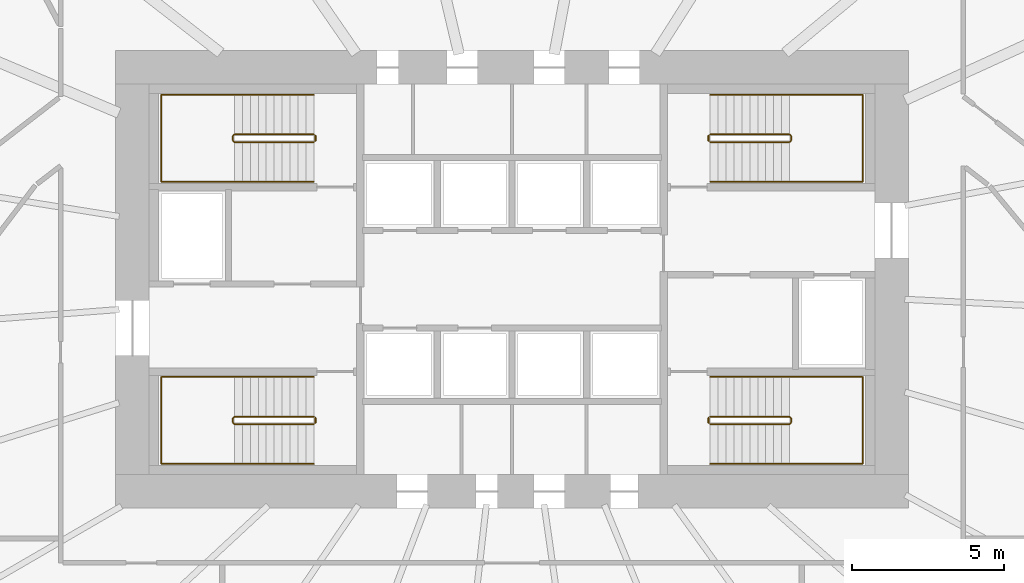
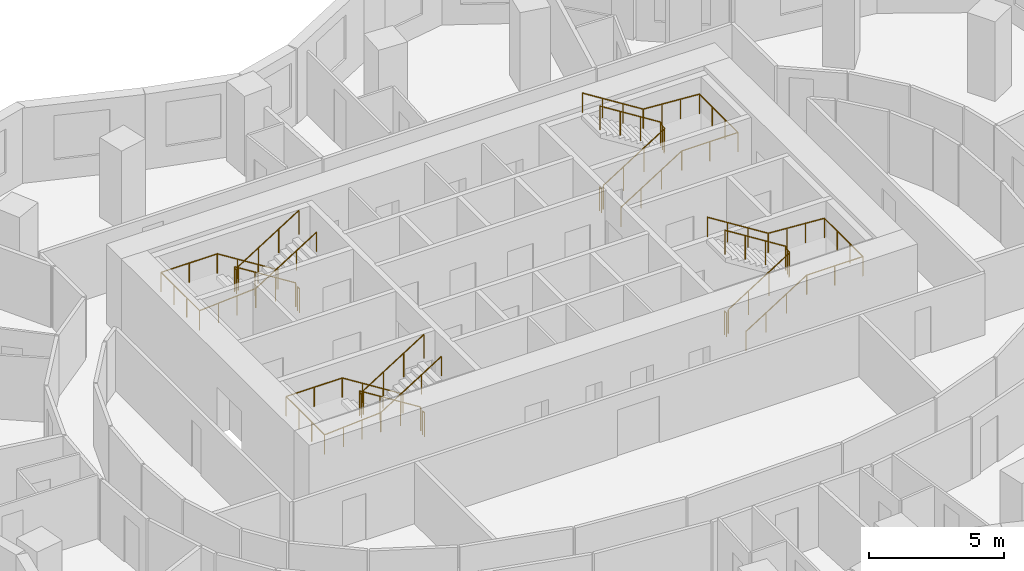
# One storey, part 10 of 10: 12 railings.
"""IFC4 building model written with IfcOpenShell, lengths in metres."""

from ifc_helpers import new_model, si_unit, direction, frame, origin, origin_2d, place, context, subcontext, project, spatial, circle, extrude, material, type_object, element, save


model = new_model("IFC4")

# Units and contexts
model_context = context("Model", 3, precision=1e-05, world=origin(), true_north=direction((0.0, 1.0)))
body_context = subcontext(model_context, "Body", "Model", "MODEL_VIEW")
ifc_project = project(units=[si_unit("LENGTHUNIT", "METRE"), si_unit("AREAUNIT", "SQUARE_METRE"), si_unit("VOLUMEUNIT", "CUBIC_METRE"), si_unit("PLANEANGLEUNIT", "RADIAN"), si_unit("MASSUNIT", "GRAM", prefix="KILO")], contexts=[model_context])

# Site, building, storey
site_placement = place(None, origin())
site = spatial("IfcSite", under=ifc_project, at=site_placement, CompositionType="ELEMENT")
building_placement = place(site_placement, origin())
building = spatial("IfcBuilding", under=site, at=building_placement, Name="Rubra Terraces Tower", CompositionType="ELEMENT")
storey_placement = place(building_placement, frame((0.0, 0.0, 92.39990234375)))
storey = spatial("IfcBuildingStorey", under=building, at=storey_placement, Name="L21", CompositionType="ELEMENT", Elevation=92.39990234375)

# Railings
ifc_material = material(Name="Stainless steel", Category="steel")
railing_type_1 = type_object("IfcRailingType", Name="Core stair guard 1100", PredefinedType="GUARDRAIL", material=ifc_material)
railing_1_placement = place(storey_placement, frame((-6.5, 0.0, 0.163818359375)))
element("IfcRailing", 1, at=railing_1_placement, inside=storey, type_object=railing_type_1, Name="L21 stair S1 guard 1", PredefinedType="GUARDRAIL", context=body_context, shape_type="SweptSolid", body=[
    extrude(circle(Radius=0.02392578125, at=origin_2d()), frame((0.0, 0.0, 1.076171875), z_axis=(-0.846360218416, 0.0, 0.532610909279), x_axis=(0.0, -1.0, 0.0)), (0.0, 0.0, 1.0), 3.072021484375),
    extrude(circle(Radius=0.02392578125, at=origin_2d()), frame((-2.60009765625, 0.0, 2.71240234375), z_axis=(-0.705375805398, -0.708833529934, 0.0), x_axis=(0.708833529934, -0.705375805398, 0.0)), (0.0, 0.0, 1.0), 0.070556640625),
    extrude(circle(Radius=0.02392578125, at=origin_2d()), frame((-2.64990234375, -0.050048828125, 2.71240234375), z_axis=(0.0, -1.0, 0.0), x_axis=(1.0, 0.0, 0.0)), (0.0, 0.0, 1.0), 0.14990234375),
    extrude(circle(Radius=0.02392578125, at=origin_2d()), frame((-2.64990234375, -0.199951171875, 2.71240234375), z_axis=(0.279546231943, -0.280916556609, 0.91811752648), x_axis=(0.708833529934, 0.705375805398, 0.0)), (0.0, 0.0, 1.0), 0.17822265625),
    extrude(circle(Radius=0.02392578125, at=origin_2d()), frame((-2.60009765625, -0.25, 2.8759765625), z_axis=(0.846324394277, 0.0, 0.532667832379), x_axis=(0.0, 1.0, 0.0)), (0.0, 0.0, 1.0), 3.072265625),
    extrude(circle(Radius=0.02099609375, at=origin_2d()), origin(), (0.0, 0.0, 1.0), 1.052001953125),
    extrude(circle(Radius=0.02099609375, at=origin_2d()), frame((-0.86669921875, 0.0, 0.54541015625)), (0.0, 0.0, 1.0), 1.052001953125),
    extrude(circle(Radius=0.02099609375, at=origin_2d()), frame((-1.7333984375, 0.0, 1.0908203125)), (0.0, 0.0, 1.0), 1.052001953125),
    extrude(circle(Radius=0.02099609375, at=origin_2d()), frame((-2.60009765625, 0.0, 1.63623046875)), (0.0, 0.0, 1.0), 1.052001953125),
    extrude(circle(Radius=0.02099609375, at=origin_2d()), frame((-2.64990234375, -0.050048828125, 1.63623046875)), (0.0, 0.0, 1.0), 1.052001953125),
    extrude(circle(Radius=0.02099609375, at=origin_2d()), frame((-2.64990234375, -0.199951171875, 1.63623046875)), (0.0, 0.0, 1.0), 1.052001953125),
    extrude(circle(Radius=0.02099609375, at=origin_2d()), frame((-2.60009765625, -0.25, 1.7998046875)), (0.0, 0.0, 1.0), 1.052001953125),
    extrude(circle(Radius=0.02099609375, at=origin_2d()), frame((-1.7333984375, -0.25, 2.34521484375)), (0.0, 0.0, 1.0), 1.052001953125),
    extrude(circle(Radius=0.02099609375, at=origin_2d()), frame((-0.86669921875, -0.25, 2.890869140625)), (0.0, 0.0, 1.0), 1.052001953125),
    extrude(circle(Radius=0.02099609375, at=origin_2d()), frame((0.0, -0.25, 3.436279296875)), (0.0, 0.0, 1.0), 1.052001953125),
])
railing_2_placement = place(storey_placement, frame((-6.449951171875, -0.050048828125, 0.0)))
element("IfcRailing", 2, at=railing_2_placement, inside=storey, type_object=railing_type_1, Name="L21 stair S1 guard 2", PredefinedType="GUARDRAIL", context=body_context, shape_type="SweptSolid", body=[
    extrude(circle(Radius=0.02392578125, at=origin_2d()), frame((0.0, 0.0, 1.076171875), z_axis=(0.0, -1.0, 0.0), x_axis=(1.0, 0.0, 0.0)), (0.0, 0.0, 1.0), 0.14990234375),
    extrude(circle(Radius=0.02099609375, at=origin_2d()), origin(), (0.0, 0.0, 1.0), 1.052001953125),
    extrude(circle(Radius=0.02099609375, at=origin_2d()), frame((0.0, -0.14990234375, 0.0)), (0.0, 0.0, 1.0), 1.052001953125),
])
railing_3_placement = place(storey_placement, frame((-6.5, 9.25, 0.163818359375)))
element("IfcRailing", 3, at=railing_3_placement, inside=storey, type_object=railing_type_1, Name="L21 stair S2 guard 1", PredefinedType="GUARDRAIL", context=body_context, shape_type="SweptSolid", body=[
    extrude(circle(Radius=0.02392578125, at=origin_2d()), frame((0.0, 0.0, 1.076171875), z_axis=(-0.846360218416, 0.0, 0.532610909279), x_axis=(0.0, -1.0, 0.0)), (0.0, 0.0, 1.0), 3.072021484375),
    extrude(circle(Radius=0.02392578125, at=origin_2d()), frame((-2.60009765625, 0.0, 2.71240234375), z_axis=(-0.705375805398, -0.708833529934, 0.0), x_axis=(0.708833529934, -0.705375805398, 0.0)), (0.0, 0.0, 1.0), 0.070556640625),
    extrude(circle(Radius=0.02392578125, at=origin_2d()), frame((-2.64990234375, -0.050048828125, 2.71240234375), z_axis=(0.0, -1.0, 0.0), x_axis=(1.0, 0.0, 0.0)), (0.0, 0.0, 1.0), 0.14990234375),
    extrude(circle(Radius=0.02392578125, at=origin_2d()), frame((-2.64990234375, -0.199951171875, 2.71240234375), z_axis=(0.279546231943, -0.280916556609, 0.91811752648), x_axis=(0.708833529934, 0.705375805398, 0.0)), (0.0, 0.0, 1.0), 0.17822265625),
    extrude(circle(Radius=0.02392578125, at=origin_2d()), frame((-2.60009765625, -0.25, 2.8759765625), z_axis=(0.846324394277, 0.0, 0.532667832379), x_axis=(0.0, 1.0, 0.0)), (0.0, 0.0, 1.0), 3.072265625),
    extrude(circle(Radius=0.02099609375, at=origin_2d()), origin(), (0.0, 0.0, 1.0), 1.052001953125),
    extrude(circle(Radius=0.02099609375, at=origin_2d()), frame((-0.86669921875, 0.0, 0.54541015625)), (0.0, 0.0, 1.0), 1.052001953125),
    extrude(circle(Radius=0.02099609375, at=origin_2d()), frame((-1.7333984375, 0.0, 1.0908203125)), (0.0, 0.0, 1.0), 1.052001953125),
    extrude(circle(Radius=0.02099609375, at=origin_2d()), frame((-2.60009765625, 0.0, 1.63623046875)), (0.0, 0.0, 1.0), 1.052001953125),
    extrude(circle(Radius=0.02099609375, at=origin_2d()), frame((-2.64990234375, -0.050048828125, 1.63623046875)), (0.0, 0.0, 1.0), 1.052001953125),
    extrude(circle(Radius=0.02099609375, at=origin_2d()), frame((-2.64990234375, -0.199951171875, 1.63623046875)), (0.0, 0.0, 1.0), 1.052001953125),
    extrude(circle(Radius=0.02099609375, at=origin_2d()), frame((-2.60009765625, -0.25, 1.7998046875)), (0.0, 0.0, 1.0), 1.052001953125),
    extrude(circle(Radius=0.02099609375, at=origin_2d()), frame((-1.7333984375, -0.25, 2.34521484375)), (0.0, 0.0, 1.0), 1.052001953125),
    extrude(circle(Radius=0.02099609375, at=origin_2d()), frame((-0.86669921875, -0.25, 2.890869140625)), (0.0, 0.0, 1.0), 1.052001953125),
    extrude(circle(Radius=0.02099609375, at=origin_2d()), frame((0.0, -0.25, 3.436279296875)), (0.0, 0.0, 1.0), 1.052001953125),
])
railing_4_placement = place(storey_placement, frame((-6.449951171875, 9.199951171875, 0.0)))
element("IfcRailing", 4, at=railing_4_placement, inside=storey, type_object=railing_type_1, Name="L21 stair S2 guard 2", PredefinedType="GUARDRAIL", context=body_context, shape_type="SweptSolid", body=[
    extrude(circle(Radius=0.02392578125, at=origin_2d()), frame((0.0, 0.0, 1.076171875), z_axis=(0.0, -1.0, 0.0), x_axis=(1.0, 0.0, 0.0)), (0.0, 0.0, 1.0), 0.14990234375),
    extrude(circle(Radius=0.02099609375, at=origin_2d()), origin(), (0.0, 0.0, 1.0), 1.052001953125),
    extrude(circle(Radius=0.02099609375, at=origin_2d()), frame((0.0, -0.14990234375, 0.0)), (0.0, 0.0, 1.0), 1.052001953125),
])
railing_5_placement = place(storey_placement, frame((6.5, 9.0, 0.163818359375)))
element("IfcRailing", 5, at=railing_5_placement, inside=storey, type_object=railing_type_1, Name="L21 stair S3 guard 1", PredefinedType="GUARDRAIL", context=body_context, shape_type="SweptSolid", body=[
    extrude(circle(Radius=0.02392578125, at=origin_2d()), frame((0.0, 0.0, 1.076171875), z_axis=(0.846360218416, 0.0, 0.532610909279), x_axis=(0.0, 1.0, 0.0)), (0.0, 0.0, 1.0), 3.072021484375),
    extrude(circle(Radius=0.02392578125, at=origin_2d()), frame((2.60009765625, 0.0, 2.71240234375), z_axis=(0.705375805398, 0.708833529934, 0.0), x_axis=(-0.708833529934, 0.705375805398, 0.0)), (0.0, 0.0, 1.0), 0.070556640625),
    extrude(circle(Radius=0.02392578125, at=origin_2d()), frame((2.64990234375, 0.050048828125, 2.71240234375), z_axis=(0.0, 1.0, 0.0), x_axis=(-1.0, 0.0, 0.0)), (0.0, 0.0, 1.0), 0.14990234375),
    extrude(circle(Radius=0.02392578125, at=origin_2d()), frame((2.64990234375, 0.199951171875, 2.71240234375), z_axis=(-0.279546231943, 0.280916556609, 0.91811752648), x_axis=(-0.708833529934, -0.705375805398, 0.0)), (0.0, 0.0, 1.0), 0.17822265625),
    extrude(circle(Radius=0.02392578125, at=origin_2d()), frame((2.60009765625, 0.25, 2.8759765625), z_axis=(-0.846324394277, 0.0, 0.532667832379), x_axis=(0.0, -1.0, 0.0)), (0.0, 0.0, 1.0), 3.072265625),
    extrude(circle(Radius=0.02099609375, at=origin_2d()), origin(), (0.0, 0.0, 1.0), 1.052001953125),
    extrude(circle(Radius=0.02099609375, at=origin_2d()), frame((0.86669921875, 0.0, 0.54541015625)), (0.0, 0.0, 1.0), 1.052001953125),
    extrude(circle(Radius=0.02099609375, at=origin_2d()), frame((1.7333984375, 0.0, 1.0908203125)), (0.0, 0.0, 1.0), 1.052001953125),
    extrude(circle(Radius=0.02099609375, at=origin_2d()), frame((2.60009765625, 0.0, 1.63623046875)), (0.0, 0.0, 1.0), 1.052001953125),
    extrude(circle(Radius=0.02099609375, at=origin_2d()), frame((2.64990234375, 0.050048828125, 1.63623046875)), (0.0, 0.0, 1.0), 1.052001953125),
    extrude(circle(Radius=0.02099609375, at=origin_2d()), frame((2.64990234375, 0.199951171875, 1.63623046875)), (0.0, 0.0, 1.0), 1.052001953125),
    extrude(circle(Radius=0.02099609375, at=origin_2d()), frame((2.60009765625, 0.25, 1.7998046875)), (0.0, 0.0, 1.0), 1.052001953125),
    extrude(circle(Radius=0.02099609375, at=origin_2d()), frame((1.7333984375, 0.25, 2.34521484375)), (0.0, 0.0, 1.0), 1.052001953125),
    extrude(circle(Radius=0.02099609375, at=origin_2d()), frame((0.86669921875, 0.25, 2.890869140625)), (0.0, 0.0, 1.0), 1.052001953125),
    extrude(circle(Radius=0.02099609375, at=origin_2d()), frame((0.0, 0.25, 3.436279296875)), (0.0, 0.0, 1.0), 1.052001953125),
])
railing_6_placement = place(storey_placement, frame((6.449951171875, 9.050048828125, 0.0)))
element("IfcRailing", 6, at=railing_6_placement, inside=storey, type_object=railing_type_1, Name="L21 stair S3 guard 2", PredefinedType="GUARDRAIL", context=body_context, shape_type="SweptSolid", body=[
    extrude(circle(Radius=0.02392578125, at=origin_2d()), frame((0.0, 0.0, 1.076171875), z_axis=(0.0, 1.0, 0.0), x_axis=(-1.0, 0.0, 0.0)), (0.0, 0.0, 1.0), 0.14990234375),
    extrude(circle(Radius=0.02099609375, at=origin_2d()), origin(), (0.0, 0.0, 1.0), 1.052001953125),
    extrude(circle(Radius=0.02099609375, at=origin_2d()), frame((0.0, 0.14990234375, 0.0)), (0.0, 0.0, 1.0), 1.052001953125),
])
railing_7_placement = place(storey_placement, frame((6.5, -0.25, 0.163818359375)))
element("IfcRailing", 7, at=railing_7_placement, inside=storey, type_object=railing_type_1, Name="L21 stair S4 guard 1", PredefinedType="GUARDRAIL", context=body_context, shape_type="SweptSolid", body=[
    extrude(circle(Radius=0.02392578125, at=origin_2d()), frame((0.0, 0.0, 1.076171875), z_axis=(0.846360218416, 0.0, 0.532610909279), x_axis=(0.0, 1.0, 0.0)), (0.0, 0.0, 1.0), 3.072021484375),
    extrude(circle(Radius=0.02392578125, at=origin_2d()), frame((2.60009765625, 0.0, 2.71240234375), z_axis=(0.705375805398, 0.708833529934, 0.0), x_axis=(-0.708833529934, 0.705375805398, 0.0)), (0.0, 0.0, 1.0), 0.070556640625),
    extrude(circle(Radius=0.02392578125, at=origin_2d()), frame((2.64990234375, 0.050048828125, 2.71240234375), z_axis=(0.0, 1.0, 0.0), x_axis=(-1.0, 0.0, 0.0)), (0.0, 0.0, 1.0), 0.14990234375),
    extrude(circle(Radius=0.02392578125, at=origin_2d()), frame((2.64990234375, 0.199951171875, 2.71240234375), z_axis=(-0.279546231943, 0.280916556609, 0.91811752648), x_axis=(-0.708833529934, -0.705375805398, 0.0)), (0.0, 0.0, 1.0), 0.17822265625),
    extrude(circle(Radius=0.02392578125, at=origin_2d()), frame((2.60009765625, 0.25, 2.8759765625), z_axis=(-0.846324394277, 0.0, 0.532667832379), x_axis=(0.0, -1.0, 0.0)), (0.0, 0.0, 1.0), 3.072265625),
    extrude(circle(Radius=0.02099609375, at=origin_2d()), origin(), (0.0, 0.0, 1.0), 1.052001953125),
    extrude(circle(Radius=0.02099609375, at=origin_2d()), frame((0.86669921875, 0.0, 0.54541015625)), (0.0, 0.0, 1.0), 1.052001953125),
    extrude(circle(Radius=0.02099609375, at=origin_2d()), frame((1.7333984375, 0.0, 1.0908203125)), (0.0, 0.0, 1.0), 1.052001953125),
    extrude(circle(Radius=0.02099609375, at=origin_2d()), frame((2.60009765625, 0.0, 1.63623046875)), (0.0, 0.0, 1.0), 1.052001953125),
    extrude(circle(Radius=0.02099609375, at=origin_2d()), frame((2.64990234375, 0.050048828125, 1.63623046875)), (0.0, 0.0, 1.0), 1.052001953125),
    extrude(circle(Radius=0.02099609375, at=origin_2d()), frame((2.64990234375, 0.199951171875, 1.63623046875)), (0.0, 0.0, 1.0), 1.052001953125),
    extrude(circle(Radius=0.02099609375, at=origin_2d()), frame((2.60009765625, 0.25, 1.7998046875)), (0.0, 0.0, 1.0), 1.052001953125),
    extrude(circle(Radius=0.02099609375, at=origin_2d()), frame((1.7333984375, 0.25, 2.34521484375)), (0.0, 0.0, 1.0), 1.052001953125),
    extrude(circle(Radius=0.02099609375, at=origin_2d()), frame((0.86669921875, 0.25, 2.890869140625)), (0.0, 0.0, 1.0), 1.052001953125),
    extrude(circle(Radius=0.02099609375, at=origin_2d()), frame((0.0, 0.25, 3.436279296875)), (0.0, 0.0, 1.0), 1.052001953125),
])
railing_8_placement = place(storey_placement, frame((6.449951171875, -0.199951171875, 0.0)))
element("IfcRailing", 8, at=railing_8_placement, inside=storey, type_object=railing_type_1, Name="L21 stair S4 guard 2", PredefinedType="GUARDRAIL", context=body_context, shape_type="SweptSolid", body=[
    extrude(circle(Radius=0.02392578125, at=origin_2d()), frame((0.0, 0.0, 1.076171875), z_axis=(0.0, 1.0, 0.0), x_axis=(-1.0, 0.0, 0.0)), (0.0, 0.0, 1.0), 0.14990234375),
    extrude(circle(Radius=0.02099609375, at=origin_2d()), origin(), (0.0, 0.0, 1.0), 1.052001953125),
    extrude(circle(Radius=0.02099609375, at=origin_2d()), frame((0.0, 0.14990234375, 0.0)), (0.0, 0.0, 1.0), 1.052001953125),
])
railing_type_2 = type_object("IfcRailingType", Name="Core stair handrail 900", PredefinedType="HANDRAIL", material=ifc_material)
railing_9_placement = place(storey_placement, frame((-6.5, 1.300048828125, 0.163818359375)))
element("IfcRailing", 9, at=railing_9_placement, inside=storey, type_object=railing_type_2, Name="L21 stair S1 handrail 1", PredefinedType="HANDRAIL", context=body_context, shape_type="SweptSolid", body=[
    extrude(circle(Radius=0.02392578125, at=origin_2d()), frame((0.0, 0.0, 0.8759765625), z_axis=(-0.846360218416, 0.0, 0.532610909279), x_axis=(0.0, -1.0, 0.0)), (0.0, 0.0, 1.0), 3.072021484375),
    extrude(circle(Radius=0.02392578125, at=origin_2d()), frame((-2.60009765625, 0.0, 2.51220703125), z_axis=(-1.0, 0.0, 0.0), x_axis=(0.0, -1.0, 0.0)), (0.0, 0.0, 1.0), 2.39990234375),
    extrude(circle(Radius=0.02392578125, at=origin_2d()), frame((-5.0, 0.0, 2.51220703125), z_axis=(0.0, -1.0, 0.0), x_axis=(1.0, 0.0, 0.0)), (0.0, 0.0, 1.0), 2.85009765625),
    extrude(circle(Radius=0.02392578125, at=origin_2d()), frame((-5.0, -2.85009765625, 2.51220703125), z_axis=(0.997685257876, 0.0, 0.068000928055), x_axis=(0.0, 1.0, 0.0)), (0.0, 0.0, 1.0), 2.405517578125),
    extrude(circle(Radius=0.02392578125, at=origin_2d()), frame((-2.60009765625, -2.85009765625, 2.67578125), z_axis=(0.846324394277, 0.0, 0.532667832379), x_axis=(0.0, 1.0, 0.0)), (0.0, 0.0, 1.0), 3.072265625),
    extrude(circle(Radius=0.02099609375, at=origin_2d()), origin(), (0.0, 0.0, 1.0), 0.851806640625),
    extrude(circle(Radius=0.02099609375, at=origin_2d()), frame((-0.86669921875, 0.0, 0.54541015625)), (0.0, 0.0, 1.0), 0.851806640625),
    extrude(circle(Radius=0.02099609375, at=origin_2d()), frame((-1.7333984375, 0.0, 1.0908203125)), (0.0, 0.0, 1.0), 0.851806640625),
    extrude(circle(Radius=0.02099609375, at=origin_2d()), frame((-2.60009765625, 0.0, 1.63623046875)), (0.0, 0.0, 1.0), 0.851806640625),
    extrude(circle(Radius=0.02099609375, at=origin_2d()), frame((-3.800048828125, 0.0, 1.63623046875)), (0.0, 0.0, 1.0), 0.851806640625),
    extrude(circle(Radius=0.02099609375, at=origin_2d()), frame((-5.0, 0.0, 1.63623046875)), (0.0, 0.0, 1.0), 0.851806640625),
    extrude(circle(Radius=0.02099609375, at=origin_2d()), frame((-5.0, -0.949951171875, 1.63623046875)), (0.0, 0.0, 1.0), 0.851806640625),
    extrude(circle(Radius=0.02099609375, at=origin_2d()), frame((-5.0, -1.900146484375, 1.63623046875)), (0.0, 0.0, 1.0), 0.851806640625),
    extrude(circle(Radius=0.02099609375, at=origin_2d()), frame((-5.0, -2.85009765625, 1.63623046875)), (0.0, 0.0, 1.0), 0.851806640625),
    extrude(circle(Radius=0.02099609375, at=origin_2d()), frame((-4.199951171875, -2.85009765625, 1.690673828125)), (0.0, 0.0, 1.0), 0.851806640625),
    extrude(circle(Radius=0.02099609375, at=origin_2d()), frame((-3.400146484375, -2.85009765625, 1.745361328125)), (0.0, 0.0, 1.0), 0.851806640625),
    extrude(circle(Radius=0.02099609375, at=origin_2d()), frame((-2.60009765625, -2.85009765625, 1.7998046875)), (0.0, 0.0, 1.0), 0.851806640625),
    extrude(circle(Radius=0.02099609375, at=origin_2d()), frame((-1.7333984375, -2.85009765625, 2.34521484375)), (0.0, 0.0, 1.0), 0.851806640625),
    extrude(circle(Radius=0.02099609375, at=origin_2d()), frame((-0.86669921875, -2.85009765625, 2.890869140625)), (0.0, 0.0, 1.0), 0.851806640625),
    extrude(circle(Radius=0.02099609375, at=origin_2d()), frame((0.0, -2.85009765625, 3.436279296875)), (0.0, 0.0, 1.0), 0.851806640625),
])
railing_10_placement = place(storey_placement, frame((-6.5, 10.550048828125, 0.163818359375)))
element("IfcRailing", 10, at=railing_10_placement, inside=storey, type_object=railing_type_2, Name="L21 stair S2 handrail 1", PredefinedType="HANDRAIL", context=body_context, shape_type="SweptSolid", body=[
    extrude(circle(Radius=0.02392578125, at=origin_2d()), frame((0.0, 0.0, 0.8759765625), z_axis=(-0.846360218416, 0.0, 0.532610909279), x_axis=(0.0, -1.0, 0.0)), (0.0, 0.0, 1.0), 3.072021484375),
    extrude(circle(Radius=0.02392578125, at=origin_2d()), frame((-2.60009765625, 0.0, 2.51220703125), z_axis=(-1.0, 0.0, 0.0), x_axis=(0.0, -1.0, 0.0)), (0.0, 0.0, 1.0), 2.39990234375),
    extrude(circle(Radius=0.02392578125, at=origin_2d()), frame((-5.0, 0.0, 2.51220703125), z_axis=(0.0, -1.0, 0.0), x_axis=(1.0, 0.0, 0.0)), (0.0, 0.0, 1.0), 2.85009765625),
    extrude(circle(Radius=0.02392578125, at=origin_2d()), frame((-5.0, -2.85009765625, 2.51220703125), z_axis=(0.997685257876, 0.0, 0.068000928055), x_axis=(0.0, 1.0, 0.0)), (0.0, 0.0, 1.0), 2.405517578125),
    extrude(circle(Radius=0.02392578125, at=origin_2d()), frame((-2.60009765625, -2.85009765625, 2.67578125), z_axis=(0.846324394277, 0.0, 0.532667832379), x_axis=(0.0, 1.0, 0.0)), (0.0, 0.0, 1.0), 3.072265625),
    extrude(circle(Radius=0.02099609375, at=origin_2d()), origin(), (0.0, 0.0, 1.0), 0.851806640625),
    extrude(circle(Radius=0.02099609375, at=origin_2d()), frame((-0.86669921875, 0.0, 0.54541015625)), (0.0, 0.0, 1.0), 0.851806640625),
    extrude(circle(Radius=0.02099609375, at=origin_2d()), frame((-1.7333984375, 0.0, 1.0908203125)), (0.0, 0.0, 1.0), 0.851806640625),
    extrude(circle(Radius=0.02099609375, at=origin_2d()), frame((-2.60009765625, 0.0, 1.63623046875)), (0.0, 0.0, 1.0), 0.851806640625),
    extrude(circle(Radius=0.02099609375, at=origin_2d()), frame((-3.800048828125, 0.0, 1.63623046875)), (0.0, 0.0, 1.0), 0.851806640625),
    extrude(circle(Radius=0.02099609375, at=origin_2d()), frame((-5.0, 0.0, 1.63623046875)), (0.0, 0.0, 1.0), 0.851806640625),
    extrude(circle(Radius=0.02099609375, at=origin_2d()), frame((-5.0, -0.949951171875, 1.63623046875)), (0.0, 0.0, 1.0), 0.851806640625),
    extrude(circle(Radius=0.02099609375, at=origin_2d()), frame((-5.0, -1.900146484375, 1.63623046875)), (0.0, 0.0, 1.0), 0.851806640625),
    extrude(circle(Radius=0.02099609375, at=origin_2d()), frame((-5.0, -2.85009765625, 1.63623046875)), (0.0, 0.0, 1.0), 0.851806640625),
    extrude(circle(Radius=0.02099609375, at=origin_2d()), frame((-4.199951171875, -2.85009765625, 1.690673828125)), (0.0, 0.0, 1.0), 0.851806640625),
    extrude(circle(Radius=0.02099609375, at=origin_2d()), frame((-3.400146484375, -2.85009765625, 1.745361328125)), (0.0, 0.0, 1.0), 0.851806640625),
    extrude(circle(Radius=0.02099609375, at=origin_2d()), frame((-2.60009765625, -2.85009765625, 1.7998046875)), (0.0, 0.0, 1.0), 0.851806640625),
    extrude(circle(Radius=0.02099609375, at=origin_2d()), frame((-1.7333984375, -2.85009765625, 2.34521484375)), (0.0, 0.0, 1.0), 0.851806640625),
    extrude(circle(Radius=0.02099609375, at=origin_2d()), frame((-0.86669921875, -2.85009765625, 2.890869140625)), (0.0, 0.0, 1.0), 0.851806640625),
    extrude(circle(Radius=0.02099609375, at=origin_2d()), frame((0.0, -2.85009765625, 3.436279296875)), (0.0, 0.0, 1.0), 0.851806640625),
])
railing_11_placement = place(storey_placement, frame((6.5, 7.699951171875, 0.163818359375)))
element("IfcRailing", 11, at=railing_11_placement, inside=storey, type_object=railing_type_2, Name="L21 stair S3 handrail 1", PredefinedType="HANDRAIL", context=body_context, shape_type="SweptSolid", body=[
    extrude(circle(Radius=0.02392578125, at=origin_2d()), frame((0.0, 0.0, 0.8759765625), z_axis=(0.846360218416, 0.0, 0.532610909279), x_axis=(0.0, 1.0, 0.0)), (0.0, 0.0, 1.0), 3.072021484375),
    extrude(circle(Radius=0.02392578125, at=origin_2d()), frame((2.60009765625, 0.0, 2.51220703125), z_axis=(1.0, 0.0, 0.0), x_axis=(0.0, 1.0, 0.0)), (0.0, 0.0, 1.0), 2.39990234375),
    extrude(circle(Radius=0.02392578125, at=origin_2d()), frame((5.0, 0.0, 2.51220703125), z_axis=(0.0, 1.0, 0.0), x_axis=(-1.0, 0.0, 0.0)), (0.0, 0.0, 1.0), 2.85009765625),
    extrude(circle(Radius=0.02392578125, at=origin_2d()), frame((5.0, 2.85009765625, 2.51220703125), z_axis=(-0.997685257876, 0.0, 0.068000928055), x_axis=(0.0, -1.0, 0.0)), (0.0, 0.0, 1.0), 2.405517578125),
    extrude(circle(Radius=0.02392578125, at=origin_2d()), frame((2.60009765625, 2.85009765625, 2.67578125), z_axis=(-0.846324394277, 0.0, 0.532667832379), x_axis=(0.0, -1.0, 0.0)), (0.0, 0.0, 1.0), 3.072265625),
    extrude(circle(Radius=0.02099609375, at=origin_2d()), origin(), (0.0, 0.0, 1.0), 0.851806640625),
    extrude(circle(Radius=0.02099609375, at=origin_2d()), frame((0.86669921875, 0.0, 0.54541015625)), (0.0, 0.0, 1.0), 0.851806640625),
    extrude(circle(Radius=0.02099609375, at=origin_2d()), frame((1.7333984375, 0.0, 1.0908203125)), (0.0, 0.0, 1.0), 0.851806640625),
    extrude(circle(Radius=0.02099609375, at=origin_2d()), frame((2.60009765625, 0.0, 1.63623046875)), (0.0, 0.0, 1.0), 0.851806640625),
    extrude(circle(Radius=0.02099609375, at=origin_2d()), frame((3.800048828125, 0.0, 1.63623046875)), (0.0, 0.0, 1.0), 0.851806640625),
    extrude(circle(Radius=0.02099609375, at=origin_2d()), frame((5.0, 0.0, 1.63623046875)), (0.0, 0.0, 1.0), 0.851806640625),
    extrude(circle(Radius=0.02099609375, at=origin_2d()), frame((5.0, 0.949951171875, 1.63623046875)), (0.0, 0.0, 1.0), 0.851806640625),
    extrude(circle(Radius=0.02099609375, at=origin_2d()), frame((5.0, 1.900146484375, 1.63623046875)), (0.0, 0.0, 1.0), 0.851806640625),
    extrude(circle(Radius=0.02099609375, at=origin_2d()), frame((5.0, 2.85009765625, 1.63623046875)), (0.0, 0.0, 1.0), 0.851806640625),
    extrude(circle(Radius=0.02099609375, at=origin_2d()), frame((4.199951171875, 2.85009765625, 1.690673828125)), (0.0, 0.0, 1.0), 0.851806640625),
    extrude(circle(Radius=0.02099609375, at=origin_2d()), frame((3.400146484375, 2.85009765625, 1.745361328125)), (0.0, 0.0, 1.0), 0.851806640625),
    extrude(circle(Radius=0.02099609375, at=origin_2d()), frame((2.60009765625, 2.85009765625, 1.7998046875)), (0.0, 0.0, 1.0), 0.851806640625),
    extrude(circle(Radius=0.02099609375, at=origin_2d()), frame((1.7333984375, 2.85009765625, 2.34521484375)), (0.0, 0.0, 1.0), 0.851806640625),
    extrude(circle(Radius=0.02099609375, at=origin_2d()), frame((0.86669921875, 2.85009765625, 2.890869140625)), (0.0, 0.0, 1.0), 0.851806640625),
    extrude(circle(Radius=0.02099609375, at=origin_2d()), frame((0.0, 2.85009765625, 3.436279296875)), (0.0, 0.0, 1.0), 0.851806640625),
])
railing_12_placement = place(storey_placement, frame((6.5, -1.550048828125, 0.163818359375)))
element("IfcRailing", 12, at=railing_12_placement, inside=storey, type_object=railing_type_2, Name="L21 stair S4 handrail 1", PredefinedType="HANDRAIL", context=body_context, shape_type="SweptSolid", body=[
    extrude(circle(Radius=0.02392578125, at=origin_2d()), frame((0.0, 0.0, 0.8759765625), z_axis=(0.846360218416, 0.0, 0.532610909279), x_axis=(0.0, 1.0, 0.0)), (0.0, 0.0, 1.0), 3.072021484375),
    extrude(circle(Radius=0.02392578125, at=origin_2d()), frame((2.60009765625, 0.0, 2.51220703125), z_axis=(1.0, 0.0, 0.0), x_axis=(0.0, 1.0, 0.0)), (0.0, 0.0, 1.0), 2.39990234375),
    extrude(circle(Radius=0.02392578125, at=origin_2d()), frame((5.0, 0.0, 2.51220703125), z_axis=(0.0, 1.0, 0.0), x_axis=(-1.0, 0.0, 0.0)), (0.0, 0.0, 1.0), 2.85009765625),
    extrude(circle(Radius=0.02392578125, at=origin_2d()), frame((5.0, 2.85009765625, 2.51220703125), z_axis=(-0.997685257876, 0.0, 0.068000928055), x_axis=(0.0, -1.0, 0.0)), (0.0, 0.0, 1.0), 2.405517578125),
    extrude(circle(Radius=0.02392578125, at=origin_2d()), frame((2.60009765625, 2.85009765625, 2.67578125), z_axis=(-0.846324394277, 0.0, 0.532667832379), x_axis=(0.0, -1.0, 0.0)), (0.0, 0.0, 1.0), 3.072265625),
    extrude(circle(Radius=0.02099609375, at=origin_2d()), origin(), (0.0, 0.0, 1.0), 0.851806640625),
    extrude(circle(Radius=0.02099609375, at=origin_2d()), frame((0.86669921875, 0.0, 0.54541015625)), (0.0, 0.0, 1.0), 0.851806640625),
    extrude(circle(Radius=0.02099609375, at=origin_2d()), frame((1.7333984375, 0.0, 1.0908203125)), (0.0, 0.0, 1.0), 0.851806640625),
    extrude(circle(Radius=0.02099609375, at=origin_2d()), frame((2.60009765625, 0.0, 1.63623046875)), (0.0, 0.0, 1.0), 0.851806640625),
    extrude(circle(Radius=0.02099609375, at=origin_2d()), frame((3.800048828125, 0.0, 1.63623046875)), (0.0, 0.0, 1.0), 0.851806640625),
    extrude(circle(Radius=0.02099609375, at=origin_2d()), frame((5.0, 0.0, 1.63623046875)), (0.0, 0.0, 1.0), 0.851806640625),
    extrude(circle(Radius=0.02099609375, at=origin_2d()), frame((5.0, 0.949951171875, 1.63623046875)), (0.0, 0.0, 1.0), 0.851806640625),
    extrude(circle(Radius=0.02099609375, at=origin_2d()), frame((5.0, 1.900146484375, 1.63623046875)), (0.0, 0.0, 1.0), 0.851806640625),
    extrude(circle(Radius=0.02099609375, at=origin_2d()), frame((5.0, 2.85009765625, 1.63623046875)), (0.0, 0.0, 1.0), 0.851806640625),
    extrude(circle(Radius=0.02099609375, at=origin_2d()), frame((4.199951171875, 2.85009765625, 1.690673828125)), (0.0, 0.0, 1.0), 0.851806640625),
    extrude(circle(Radius=0.02099609375, at=origin_2d()), frame((3.400146484375, 2.85009765625, 1.745361328125)), (0.0, 0.0, 1.0), 0.851806640625),
    extrude(circle(Radius=0.02099609375, at=origin_2d()), frame((2.60009765625, 2.85009765625, 1.7998046875)), (0.0, 0.0, 1.0), 0.851806640625),
    extrude(circle(Radius=0.02099609375, at=origin_2d()), frame((1.7333984375, 2.85009765625, 2.34521484375)), (0.0, 0.0, 1.0), 0.851806640625),
    extrude(circle(Radius=0.02099609375, at=origin_2d()), frame((0.86669921875, 2.85009765625, 2.890869140625)), (0.0, 0.0, 1.0), 0.851806640625),
    extrude(circle(Radius=0.02099609375, at=origin_2d()), frame((0.0, 2.85009765625, 3.436279296875)), (0.0, 0.0, 1.0), 0.851806640625),
])

save(model, "model.ifc")
